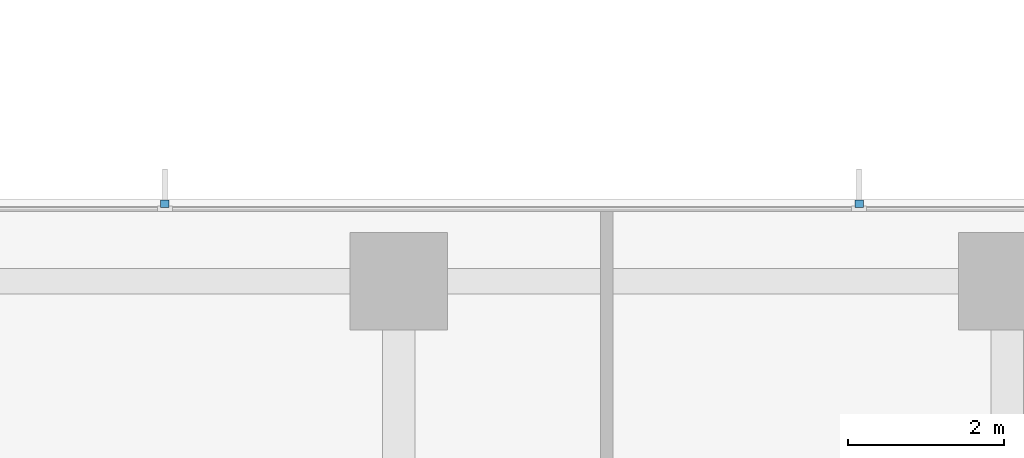
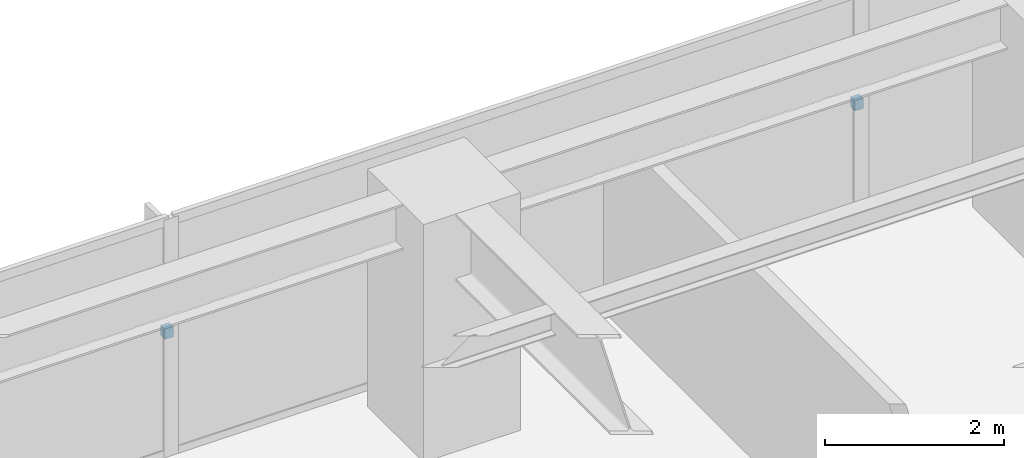
# One storey, part 15 of 17: 2 discrete accessories.
"""IFC4 building model written with IfcOpenShell, lengths in metres."""

from ifc_helpers import new_model, si_unit, direction, frame, origin, place, context, subcontext, project, spatial, polyline, outline, extrude, material, type_object, element, save


model = new_model("IFC4")

# Units and contexts
model_context = context("Model", 3, precision=1e-05, world=origin(), true_north=direction((0.0, 1.0)))
body_context = subcontext(model_context, "Body", "Model", "MODEL_VIEW")
ifc_project = project(units=[si_unit("LENGTHUNIT", "METRE"), si_unit("AREAUNIT", "SQUARE_METRE"), si_unit("VOLUMEUNIT", "CUBIC_METRE"), si_unit("PLANEANGLEUNIT", "RADIAN"), si_unit("MASSUNIT", "GRAM", prefix="KILO")], contexts=[model_context])

# Site, building, storey
site_placement = place(None, origin())
site = spatial("IfcSite", under=ifc_project, at=site_placement, CompositionType="ELEMENT")
building_placement = place(site_placement, origin())
building = spatial("IfcBuilding", under=site, at=building_placement, Name="Qalmaran Belvedere Hotel", CompositionType="ELEMENT")
storey_placement = place(building_placement, frame((0.0, 0.0, 119.699951171875)))
storey = spatial("IfcBuildingStorey", under=building, at=storey_placement, Name="L30", CompositionType="ELEMENT", Elevation=119.699951171875)

# Discrete accessories
ifc_material = material(Name="Stainless Steel 1.4401", Category="steel")
discrete_accessory_type = type_object("IfcDiscreteAccessoryType", Name="BRK-FIN-SS316", PredefinedType="BRACKET", material=ifc_material)
discrete_accessory_1_placement = place(storey_placement, frame((0.0, 0.0, 1.570068359375)))
element("IfcDiscreteAccessory", 1, at=discrete_accessory_1_placement, inside=storey, type_object=discrete_accessory_type, Name="L30 Fin Bracket 1", PredefinedType="BRACKET", context=body_context, shape_type="SweptSolid", body=[
    extrude(outline(polyline([(42.955078125, 46.39501953125), (42.955078125, 46.489990234375), (42.844970703125, 46.489990234375), (42.844970703125, 46.39501953125), (42.955078125, 46.39501953125)])), origin(), (0.0, 0.0, 1.0), 0.139892578125),
])
discrete_accessory_2_placement = place(storey_placement, frame((0.0, 0.0, 1.570068359375)))
element("IfcDiscreteAccessory", 2, at=discrete_accessory_2_placement, inside=storey, type_object=discrete_accessory_type, Name="L30 Fin Bracket 2", PredefinedType="BRACKET", context=body_context, shape_type="SweptSolid", body=[
    extrude(outline(polyline([(34.054931640625, 46.39501953125), (34.054931640625, 46.489990234375), (33.945068359375, 46.489990234375), (33.945068359375, 46.39501953125), (34.054931640625, 46.39501953125)])), origin(), (0.0, 0.0, 1.0), 0.139892578125),
])

save(model, "model.ifc")
